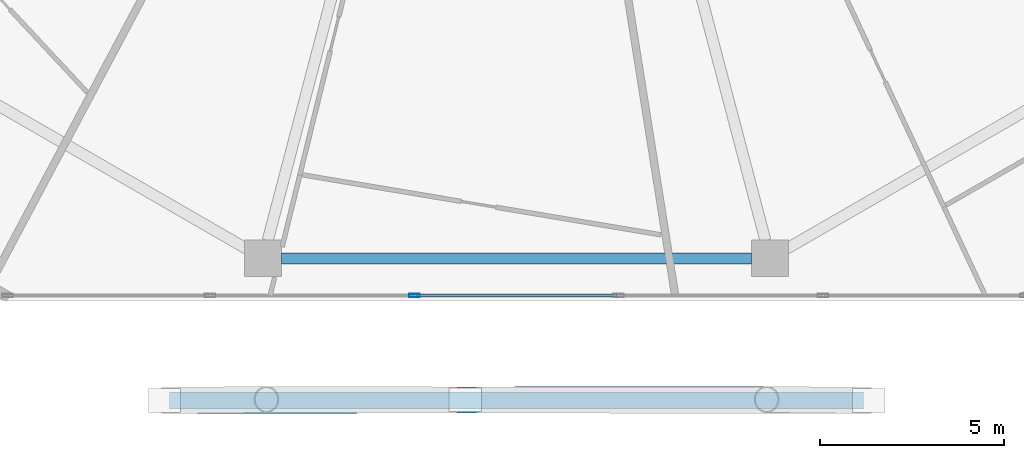
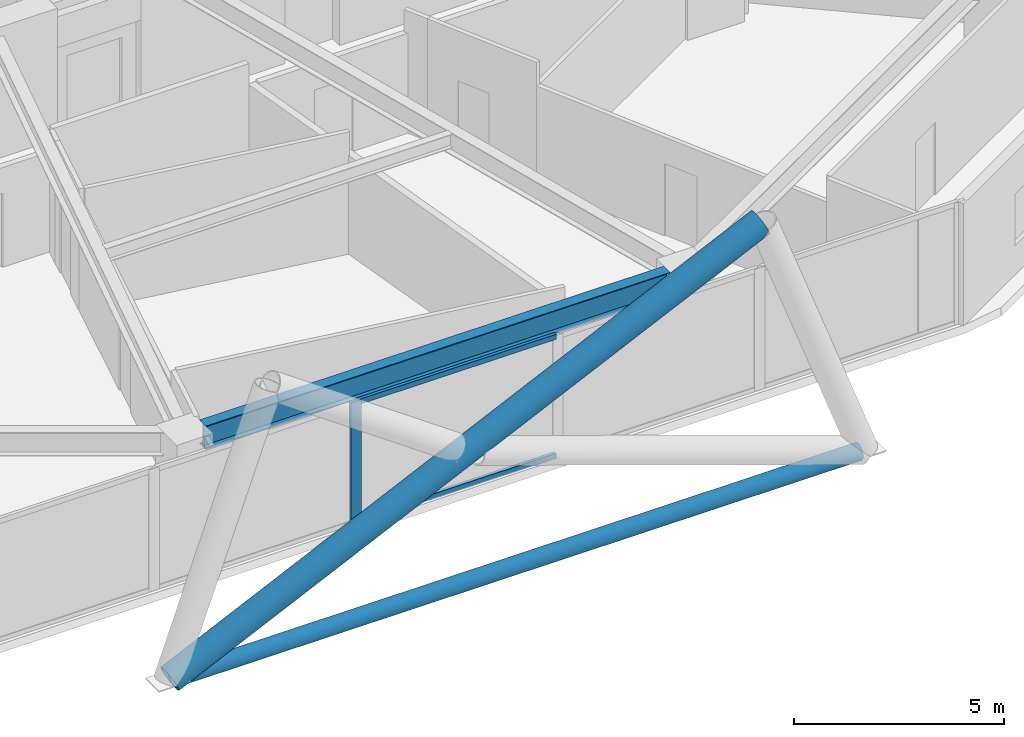
# One storey, part 4 of 30: 5 members, 1 beam, 1 element without a shape of its own.
"""IFC4 building model written with IfcOpenShell, lengths in metres."""

from ifc_helpers import new_model, si_unit, direction, frame, origin, origin_2d, place, context, subcontext, project, spatial, hollow_rectangle, hollow_circle, i_section, extrude, material, material_profile, profile_set, type_object, element, aggregate, save


model = new_model("IFC4")

# Units and contexts
model_context = context("Model", 3, precision=1e-05, world=origin(), true_north=direction((0.0, 1.0)))
body_context = subcontext(model_context, "Body", "Model", "MODEL_VIEW")
ifc_project = project(units=[si_unit("LENGTHUNIT", "METRE"), si_unit("AREAUNIT", "SQUARE_METRE"), si_unit("VOLUMEUNIT", "CUBIC_METRE"), si_unit("PLANEANGLEUNIT", "RADIAN"), si_unit("MASSUNIT", "GRAM", prefix="KILO")], contexts=[model_context])

# Site, building, storey
site_placement = place(None, origin())
site = spatial("IfcSite", under=ifc_project, at=site_placement, CompositionType="ELEMENT")
building_placement = place(site_placement, origin())
building = spatial("IfcBuilding", under=site, at=building_placement, Name="Zuhravey Tower", CompositionType="ELEMENT")
storey_placement = place(building_placement, frame((0.0, 0.0, 177.0)))
storey = spatial("IfcBuildingStorey", under=building, at=storey_placement, Name="L44", CompositionType="ELEMENT", Elevation=177.0)

# Curtain wall, members
ifc_material_1 = material(Name="Thermally broken anodised aluminium", Category="aluminium")
curtain_wall_type = type_object("IfcCurtainWallType", Name="Zone 1-2 Residential Curtain Wall CW3", PredefinedType="NOTDEFINED", material=ifc_material_1)
curtain_wall_placement = place(storey_placement, origin())
curtain_wall = element("IfcCurtainWall", 1, at=curtain_wall_placement, inside=storey, type_object=curtain_wall_type, Name="L44 CW3 CW-L44-F5-1", PredefinedType="NOTDEFINED")
ifc_material_2 = material(Name="Anodised aluminium", Category="aluminium")
ifc_material_profile_1 = material_profile(ifc_material_2, hollow_rectangle(XDim=0.090087890625, YDim=0.284912109375, WallThickness=0.0048828125, at=origin_2d()), Name="ALU-RHS-90x285x5")
ifc_profile_set_1 = profile_set([ifc_material_profile_1], Name="Anodised aluminium")
member_type_1 = type_object("IfcMemberType", Name="Curtain-Wall Mullion 90x180", PredefinedType="MULLION", material=ifc_profile_set_1)
member_1_placement = place(storey_placement, frame((33.227783203125, 4.81689453125, 0.0), z_axis=(0.0, 0.0, 1.0), x_axis=(0.0, -1.0, 0.0)))
member_1 = element("IfcMember", 2, at=member_1_placement, type_object=member_type_1, Name="CW3 mullion 4", PredefinedType="MULLION", context=body_context, shape_type="SweptSolid", body=[
    extrude(hollow_rectangle(XDim=0.090087890625, YDim=0.284912109375, WallThickness=0.0048828125, at=origin_2d()), origin(), (0.0, 0.0, 1.0), 3.550048828125),
])
ifc_material_profile_2 = material_profile(ifc_material_2, hollow_rectangle(XDim=0.090087890625, YDim=0.14990234375, WallThickness=0.0048828125, at=origin_2d()), Name="ALU-RHS-90x150x5")
ifc_profile_set_2 = profile_set([ifc_material_profile_2], Name="Anodised aluminium")
member_type_2 = type_object("IfcMemberType", Name="Curtain-Wall Transom 90x150", PredefinedType="USERDEFINED", material=ifc_profile_set_2)
member_2_placement = place(storey_placement, frame((38.727294921875, 4.81689453125, 0.044921875), z_axis=(-1.0, 0.0, 0.0), x_axis=(0.0, -1.0, 0.0)))
member_2 = element("IfcMember", 3, at=member_2_placement, type_object=member_type_2, Name="CW3 transom 3.1", ObjectType="TRANSOM", PredefinedType="USERDEFINED", context=body_context, shape_type="SweptSolid", body=[
    extrude(hollow_rectangle(XDim=0.090087890625, YDim=0.14990234375, WallThickness=0.0048828125, at=origin_2d()), origin(), (0.0, 0.0, 1.0), 5.45458984375),
])
member_3_placement = place(storey_placement, frame((38.727294921875, 4.81689453125, 3.5048828125), z_axis=(-1.0, 0.0, 0.0), x_axis=(0.0, -1.0, 0.0)))
member_3 = element("IfcMember", 4, at=member_3_placement, type_object=member_type_2, Name="CW3 transom 3.2", ObjectType="TRANSOM", PredefinedType="USERDEFINED", context=body_context, shape_type="SweptSolid", body=[
    extrude(hollow_rectangle(XDim=0.090087890625, YDim=0.14990234375, WallThickness=0.0048828125, at=origin_2d()), origin(), (0.0, 0.0, 1.0), 5.45458984375),
])
aggregate(curtain_wall, [member_1, member_2, member_3])

# Members
ifc_material_3 = material(Name="Steel SM355", Category="steel")
ifc_material_profile_3 = material_profile(ifc_material_3, hollow_circle(Radius=0.228515625, WallThickness=0.02197265625, at=origin_2d()), Name="CHS-457.2x22")
ifc_profile_set_3 = profile_set([ifc_material_profile_3], Name="Steel SM355")
member_type_3 = type_object("IfcMemberType", Name="Exoskeleton Ring Tie CHS457x22", PredefinedType="CHORD", material=ifc_profile_set_3)
member_4_placement = place(storey_placement, frame((26.5849609375, 1.966796875, -0.464111328125), z_axis=(1.0, 0.0, 0.0), x_axis=(0.0, 1.0, 0.0)))
element("IfcMember", 5, at=member_4_placement, inside=storey, type_object=member_type_3, Name="L44 Exoskeleton Face 5 Tie EXR1", PredefinedType="CHORD", context=body_context, shape_type="SweptSolid", body=[
    extrude(hollow_circle(Radius=0.228515625, WallThickness=0.02197265625, at=origin_2d()), origin(), (0.0, 0.0, 1.0), 18.830078125),
])
ifc_material_4 = material(Name="Steel SM460", Category="steel")
ifc_material_profile_4 = material_profile(ifc_material_4, hollow_circle(Radius=0.355712890625, WallThickness=0.031982421875, at=origin_2d()), Name="CHS-711.2x32")
ifc_profile_set_4 = profile_set([ifc_material_profile_4], Name="Steel SM460")
member_type_4 = type_object("IfcMemberType", Name="Exoskeleton Zone 2 Diagrid CHS711x32", PredefinedType="BRACE", material=ifc_profile_set_4)
member_5_placement = place(storey_placement, frame((26.488037109375, 1.967041015625, -0.444091796875), z_axis=(0.906678910824, 0.001661881417, 0.421818196403), x_axis=(-0.001832929613, 0.999998320183, 0.0)))
element("IfcMember", 6, at=member_5_placement, inside=storey, type_object=member_type_4, Name="L44 Face 5 Diagrid Brace 2", PredefinedType="BRACE", context=body_context, shape_type="SweptSolid", body=[
    extrude(hollow_circle(Radius=0.355712890625, WallThickness=0.031982421875, at=origin_2d()), origin(), (0.0, 0.0, 1.0), 17.922607421875),
])

# Beam
ifc_material_profile_5 = material_profile(ifc_material_3, i_section(OverallWidth=0.300048828125, OverallDepth=0.679931640625, WebThickness=0.012939453125, FlangeThickness=0.02197265625, at=origin_2d()), Name="H-680x300x13x22")
ifc_profile_set_5 = profile_set([ifc_material_profile_5], Name="Steel SM355")
beam_type = type_object("IfcBeamType", Name="Perimeter Ring Beam H680x300", PredefinedType="BEAM", material=ifc_profile_set_5)
beam_placement = place(storey_placement, frame((29.62109375, 5.826904296875, 3.2099609375), z_axis=(1.0, 0.0, 0.0), x_axis=(0.0, 1.0, 0.0)))
element("IfcBeam", 7, at=beam_placement, inside=storey, type_object=beam_type, Name="L44 PB2 BM-L44-PB-09", PredefinedType="BEAM", context=body_context, shape_type="SweptSolid", body=[
    extrude(i_section(OverallWidth=0.300048828125, OverallDepth=0.679931640625, WebThickness=0.012939453125, FlangeThickness=0.02197265625, at=origin_2d()), origin(), (0.0, 0.0, 1.0), 12.7578125),
])

save(model, "model.ifc")
